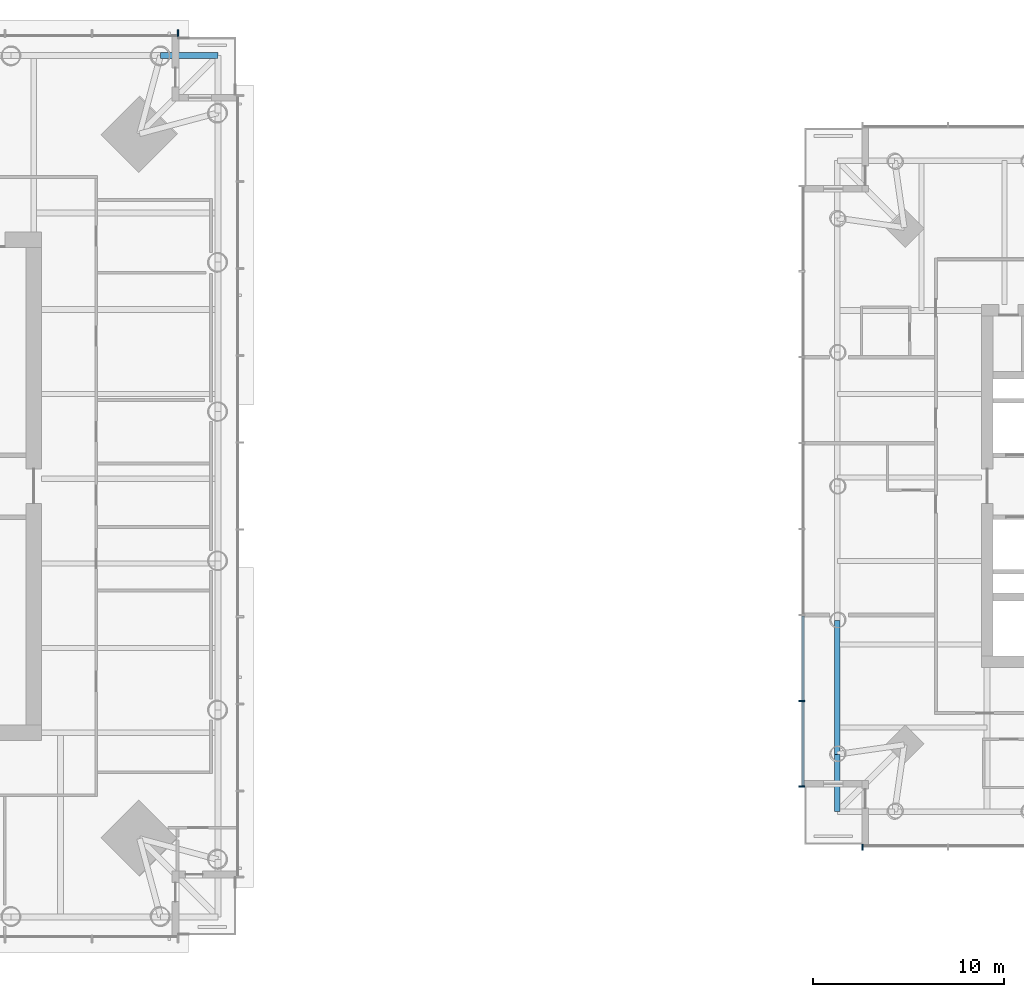
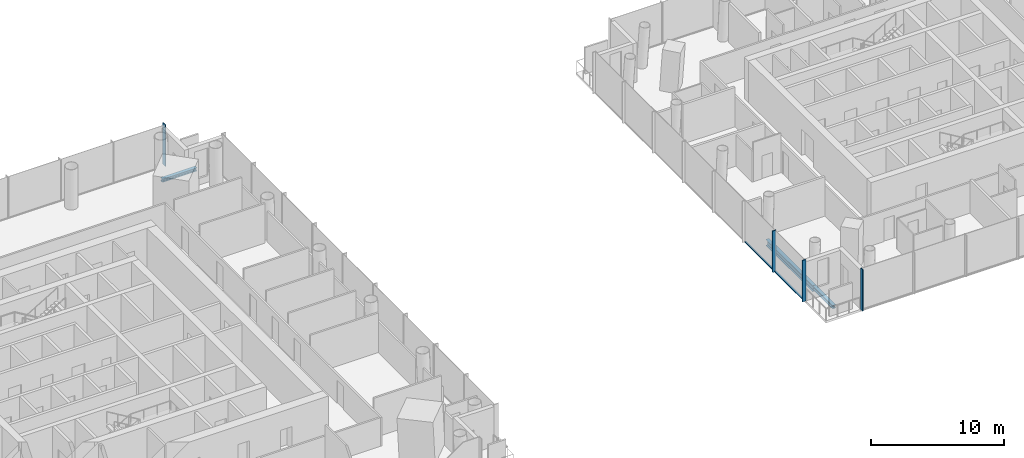
# One storey, part 4 of 26: 6 members, 3 beams, 3 elements without a shape of their own.
"""IFC4 building model written with IfcOpenShell, lengths in metres."""

from ifc_helpers import new_model, si_unit, direction, frame, origin, origin_2d, place, context, subcontext, project, spatial, rectangle, i_section, extrude, material, material_profile, profile_set, type_object, element, aggregate, save


model = new_model("IFC4")

# Units and contexts
model_context = context("Model", 3, precision=1e-05, world=origin(), true_north=direction((0.0, 1.0)))
body_context = subcontext(model_context, "Body", "Model", "MODEL_VIEW")
ifc_project = project(units=[si_unit("LENGTHUNIT", "METRE"), si_unit("AREAUNIT", "SQUARE_METRE"), si_unit("VOLUMEUNIT", "CUBIC_METRE"), si_unit("PLANEANGLEUNIT", "RADIAN"), si_unit("MASSUNIT", "GRAM", prefix="KILO")], contexts=[model_context])

# Site, building, storey
site_placement = place(None, origin())
site = spatial("IfcSite", under=ifc_project, at=site_placement, CompositionType="ELEMENT")
building_placement = place(site_placement, origin())
building = spatial("IfcBuilding", under=site, at=building_placement, Name="Ostroluk Exchange", CompositionType="ELEMENT")
storey_placement = place(building_placement, frame((0.0, 0.0, 66.60009765625)))
storey = spatial("IfcBuildingStorey", under=building, at=storey_placement, Name="L16", CompositionType="ELEMENT", Elevation=66.60009765625)

# Beams
ifc_material_1 = material(Name="Steel S355", Category="steel")
ifc_material_profile_1 = material_profile(ifc_material_1, i_section(OverallWidth=0.300048828125, OverallDepth=0.300048828125, WebThickness=0.010986328125, FlangeThickness=0.01904296875, FilletRadius=0.027099609375, at=origin_2d()), Name="HEB 300")
ifc_profile_set_1 = profile_set([ifc_material_profile_1], Name="Steel S355")
beam_type_1 = type_object("IfcBeamType", Name="Balcony beam HEB 300", PredefinedType="BEAM", material=ifc_profile_set_1)
for number, where, z_axis, x_axis, name in (
    (1, (64.54296875, 68.54296875, -0.330078125), (1.0, 0.0, 0.0), (0.0, 1.0, 0.0), "T1 east balcony beam b"),
    (2, (99.965576171875, 31.965576171875, -0.35009765625), (0.0, -1.0, 0.0), (1.0, 0.0, 0.0), "T2 west balcony beam a"),
):
    element("IfcBeam", number, at=place(storey_placement, frame(where, z_axis=z_axis, x_axis=x_axis)), inside=storey, type_object=beam_type_1, Name=name, PredefinedType="BEAM", context=body_context, shape_type="SweptSolid", body=[
        extrude(i_section(OverallWidth=0.300048828125, OverallDepth=0.300048828125, WebThickness=0.010986328125, FlangeThickness=0.01904296875, FilletRadius=0.027099609375, at=origin_2d()), origin(), (0.0, 0.0, 1.0), 3.0),
    ])
ifc_material_2 = material(Name="Steel S355", Category="steel")
ifc_material_profile_2 = material_profile(ifc_material_2, i_section(OverallWidth=0.300048828125, OverallDepth=0.550048828125, WebThickness=0.014892578125, FlangeThickness=0.029052734375, FilletRadius=0.027099609375, at=origin_2d()), Name="HEB 550")
ifc_profile_set_2 = profile_set([ifc_material_profile_2], Name="Steel S355")
beam_type_2 = type_object("IfcBeamType", Name="Moment-connected edge beam HEB 550", PredefinedType="SPANDREL", material=ifc_profile_set_2)
beam_placement = place(storey_placement, frame((99.965576171875, 38.982666015625, -0.47509765625), z_axis=(0.0, -1.0, 0.0), x_axis=(1.0, 0.0, 0.0)))
element("IfcBeam", 3, at=beam_placement, inside=storey, type_object=beam_type_2, Name="T2 west edge beam 4", PredefinedType="SPANDREL", context=body_context, shape_type="SweptSolid", body=[
    extrude(i_section(OverallWidth=0.300048828125, OverallDepth=0.550048828125, WebThickness=0.014892578125, FlangeThickness=0.029052734375, FilletRadius=0.027099609375, at=origin_2d()), origin(), (0.0, 0.0, 1.0), 7.01708984375),
])

# Curtain wall, members
ifc_material_3 = material(Name="Laminated clear glass", Category="glass")
curtain_wall_type_1 = type_object("IfcCurtainWallType", Name="Hotel guest floor facade", PredefinedType="USERDEFINED", material=ifc_material_3)
curtain_wall_1_placement = place(storey_placement, origin())
curtain_wall_1 = element("IfcCurtainWall", 4, at=curtain_wall_1_placement, inside=storey, type_object=curtain_wall_type_1, Name="Hotel tower west facade L16", ObjectType="UNITISED CURTAIN WALL", PredefinedType="USERDEFINED")
ifc_material_4 = material(Name="Aluminium mullion", Category="aluminium")
ifc_material_profile_3 = material_profile(ifc_material_4, rectangle(XDim=0.14990234375, YDim=0.080078125, at=origin_2d()), Name="Sill transom 80 x 150")
ifc_profile_set_3 = profile_set([ifc_material_profile_3], Name="Aluminium mullion")
member_type_1 = type_object("IfcMemberType", Name="Sill transom 80 x 150", PredefinedType="USERDEFINED", material=ifc_profile_set_3)
member_1_placement = place(storey_placement, frame((98.175048828125, 39.2099609375, 0.039794921875), z_axis=(0.0, -1.0, 0.0), x_axis=(1.0, 0.0, 0.0)))
member_1 = element("IfcMember", 5, at=member_1_placement, type_object=member_type_1, Name="CW-H1 transom 6.1", ObjectType="TRANSOM", PredefinedType="USERDEFINED", context=body_context, shape_type="SweptSolid", body=[
    extrude(rectangle(XDim=0.14990234375, YDim=0.080078125, at=origin_2d()), origin(), (0.0, 0.0, 1.0), 4.419921875),
])
member_2_placement = place(storey_placement, frame((98.175048828125, 34.7099609375, 0.039794921875), z_axis=(0.0, -1.0, 0.0), x_axis=(1.0, 0.0, 0.0)))
member_2 = element("IfcMember", 6, at=member_2_placement, type_object=member_type_1, Name="CW-H1 transom 7.1", ObjectType="TRANSOM", PredefinedType="USERDEFINED", context=body_context, shape_type="SweptSolid", body=[
    extrude(rectangle(XDim=0.14990234375, YDim=0.080078125, at=origin_2d()), origin(), (0.0, 0.0, 1.0), 4.3798828125),
])

# Curtain wall, member
curtain_wall_2_placement = place(storey_placement, origin())
curtain_wall_2 = element("IfcCurtainWall", 7, at=curtain_wall_2_placement, inside=storey, type_object=curtain_wall_type_1, Name="Hotel tower south facade L16", ObjectType="UNITISED CURTAIN WALL", PredefinedType="USERDEFINED")
ifc_material_5 = material(Name="Aluminium mullion with limestone facing", Category="masonry")
ifc_material_profile_4 = material_profile(ifc_material_5, rectangle(XDim=0.300048828125, YDim=0.080078125, at=origin_2d()), Name="Tracery mullion 80 x 300")
ifc_profile_set_4 = profile_set([ifc_material_profile_4], Name="Aluminium mullion with limestone facing")
member_type_2 = type_object("IfcMemberType", Name="Tracery mullion 80 x 300", PredefinedType="MULLION", material=ifc_profile_set_4)
member_3_placement = place(storey_placement, frame((101.2900390625, 27.10009765625, 0.0), z_axis=(0.0, 0.0, 1.0), x_axis=(0.0, 1.0, 0.0)))
member_3 = element("IfcMember", 8, at=member_3_placement, type_object=member_type_2, Name="CW-H1 mullion 1", PredefinedType="MULLION", context=body_context, shape_type="SweptSolid", body=[
    extrude(rectangle(XDim=0.300048828125, YDim=0.080078125, at=origin_2d()), origin(), (0.0, 0.0, 1.0), 3.7998046875),
])
aggregate(curtain_wall_2, [member_3])

# Member
member_4_placement = place(storey_placement, frame((98.10009765625, 34.75, 0.0), z_axis=(0.0, 0.0, 1.0), x_axis=(1.0, 0.0, 0.0)))
member_4 = element("IfcMember", 9, at=member_4_placement, type_object=member_type_2, Name="CW-H1 mullion 7", PredefinedType="MULLION", context=body_context, shape_type="SweptSolid", body=[
    extrude(rectangle(XDim=0.300048828125, YDim=0.080078125, at=origin_2d()), origin(), (0.0, 0.0, 1.0), 3.7998046875),
])

member_5_placement = place(storey_placement, frame((98.10009765625, 30.2900390625, 0.0), z_axis=(0.0, 0.0, 1.0), x_axis=(1.0, 0.0, 0.0)))
member_5 = element("IfcMember", 10, at=member_5_placement, type_object=member_type_2, Name="CW-H1 mullion 8", PredefinedType="MULLION", context=body_context, shape_type="SweptSolid", body=[
    extrude(rectangle(XDim=0.300048828125, YDim=0.080078125, at=origin_2d()), origin(), (0.0, 0.0, 1.0), 3.7998046875),
])

aggregate(curtain_wall_1, [member_4, member_5, member_1, member_2])

# Curtain wall, member
ifc_material_6 = material(Name="Laminated clear glass", Category="glass")
curtain_wall_type_2 = type_object("IfcCurtainWallType", Name="Office tower facade", PredefinedType="USERDEFINED", material=ifc_material_6)
curtain_wall_3_placement = place(storey_placement, origin())
curtain_wall_3 = element("IfcCurtainWall", 11, at=curtain_wall_3_placement, inside=storey, type_object=curtain_wall_type_2, Name="Office tower north facade L16", ObjectType="UNITISED CURTAIN WALL", PredefinedType="USERDEFINED")
ifc_material_7 = material(Name="Aluminium mullion with limestone facing", Category="masonry")
ifc_material_profile_5 = material_profile(ifc_material_7, rectangle(XDim=0.39990234375, YDim=0.080078125, at=origin_2d()), Name="Tracery mullion 80 x 400")
ifc_profile_set_5 = profile_set([ifc_material_profile_5], Name="Aluminium mullion with limestone facing")
member_type_3 = type_object("IfcMemberType", Name="Tracery mullion 80 x 400", PredefinedType="MULLION", material=ifc_profile_set_5)
member_6_placement = place(storey_placement, frame((65.4599609375, 69.699951171875, 0.0), z_axis=(0.0, 0.0, 1.0), x_axis=(0.0, -1.0, 0.0)))
member_6 = element("IfcMember", 12, at=member_6_placement, type_object=member_type_3, Name="CW-O1 mullion 1", PredefinedType="MULLION", context=body_context, shape_type="SweptSolid", body=[
    extrude(rectangle(XDim=0.39990234375, YDim=0.080078125, at=origin_2d()), origin(), (0.0, 0.0, 1.0), 3.7998046875),
])
aggregate(curtain_wall_3, [member_6])

save(model, "model.ifc")
